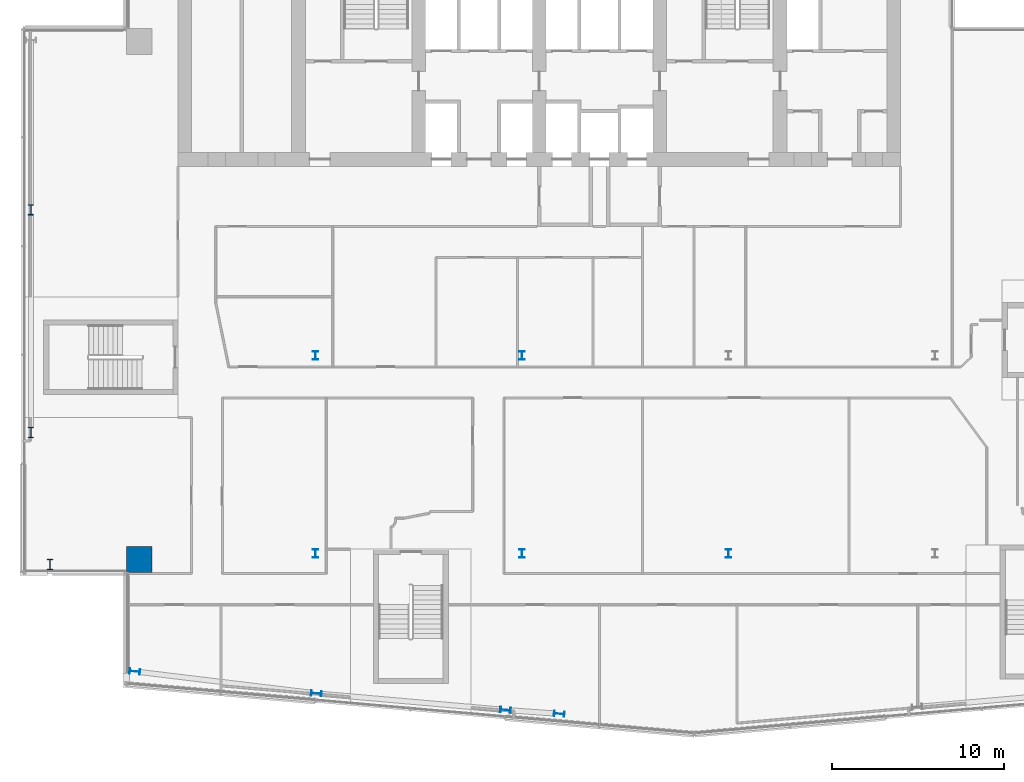
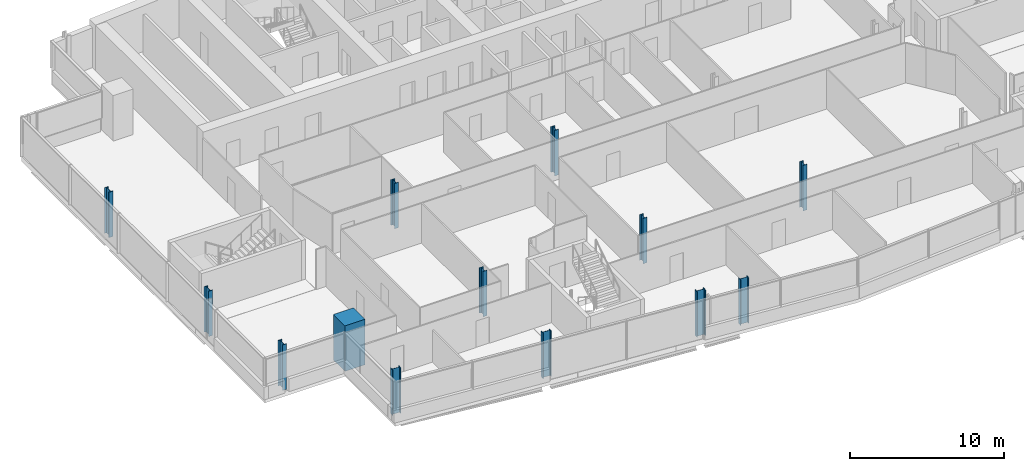
# One storey, part 1 of 24: 13 columns.
"""IFC4 building model written with IfcOpenShell, lengths in metres."""

from ifc_helpers import new_model, si_unit, direction, frame, origin, origin_2d, place, context, subcontext, project, spatial, rectangle, i_section, extrude, material, material_profile, profile_set, type_object, element, save


model = new_model("IFC4")

# Units and contexts
model_context = context("Model", 3, precision=1e-05, world=origin(), true_north=direction((0.0, 1.0)))
body_context = subcontext(model_context, "Body", "Model", "MODEL_VIEW")
ifc_project = project(units=[si_unit("LENGTHUNIT", "METRE"), si_unit("AREAUNIT", "SQUARE_METRE"), si_unit("VOLUMEUNIT", "CUBIC_METRE"), si_unit("PLANEANGLEUNIT", "RADIAN"), si_unit("MASSUNIT", "GRAM", prefix="KILO")], contexts=[model_context])

# Site, building, storey
site_placement = place(None, origin())
site = spatial("IfcSite", under=ifc_project, at=site_placement, CompositionType="ELEMENT")
building_placement = place(site_placement, origin())
building = spatial("IfcBuilding", under=site, at=building_placement, Name="Wharfspan Tower", CompositionType="ELEMENT")
storey_placement = place(building_placement, frame((0.0, 0.0, 198.699951)))
storey = spatial("IfcBuildingStorey", under=building, at=storey_placement, Name="L49", CompositionType="ELEMENT", Elevation=198.699951)

# Columns
ifc_material_1 = material(Name="Steel S355J2", Category="steel")
ifc_material_profile_1 = material_profile(ifc_material_1, i_section(OverallWidth=0.300049, OverallDepth=0.5, WebThickness=0.014404, FlangeThickness=0.028076, FilletRadius=0.0271, at=origin_2d()))
ifc_profile_set_1 = profile_set([ifc_material_profile_1], Name="Steel S355J2")
column_type_1 = type_object("IfcColumnType", Name="Column HEB 500", PredefinedType="COLUMN", material=ifc_profile_set_1)
for number, where, z_axis, x_axis, name in (
    (1, (24.0, 11.5, 0.0), (0.0, 0.0, 1.0), (1.0, 0.0, 0.0), "Interior column I.1.1 L49"),
    (2, (36.0, 11.5, 0.0), (0.0, 0.0, 1.0), (1.0, 0.0, 0.0), "Interior column I.1.2 L49"),
    (3, (48.0, 11.5, 0.0), (0.0, 0.0, 1.0), (1.0, 0.0, 0.0), "Interior column I.1.3 L49"),
    (4, (24.0, 23.0, 0.0), (0.0, 0.0, 1.0), (1.0, 0.0, 0.0), "Interior column I.2.1 L49"),
    (5, (36.0, 23.0, 0.0), (0.0, 0.0, 1.0), (1.0, 0.0, 0.0), "Interior column I.2.2 L49"),
):
    element("IfcColumn", number, at=place(storey_placement, frame(where, z_axis=z_axis, x_axis=x_axis)), inside=storey, type_object=column_type_1, Name=name, PredefinedType="COLUMN", context=body_context, shape_type="SweptSolid", body=[
        extrude(i_section(OverallWidth=0.300049, OverallDepth=0.5, WebThickness=0.014404, FlangeThickness=0.028076, FilletRadius=0.0271, at=origin_2d()), origin(), (0.0, 0.0, 1.0), 3.600098),
    ])
ifc_material_profile_2 = material_profile(ifc_material_1, i_section(OverallWidth=0.304932, OverallDepth=0.620117, WebThickness=0.020996, FlangeThickness=0.040039, FilletRadius=0.0271, at=origin_2d()))
ifc_profile_set_2 = profile_set([ifc_material_profile_2], Name="Steel S355J2")
column_type_2 = type_object("IfcColumnType", Name="Column HEM 600", PredefinedType="COLUMN", material=ifc_profile_set_2)
for number, where, z_axis, x_axis, name in (
    (6, (13.490723, 4.637451, 0.0), (0.0, 0.0, 1.0), (-0.087156, -0.996198, 0.0), "Perimeter column PS1.1 L49"),
    (7, (24.039307, 3.361084, 0.0), (0.0, 0.0, 1.0), (-0.087156, -0.996198, 0.0), "Perimeter column PS1.2 L49"),
    (8, (35.039307, 2.398682, 0.0), (0.0, 0.0, 1.0), (-0.087156, -0.996198, 0.0), "Perimeter column PS1.3 L49"),
    (9, (38.161133, 2.174072, 0.0), (0.0, 0.0, 1.0), (-0.087156, -0.996198, 0.0), "Perimeter column PS1.4 L49"),
    (10, (7.449951, 31.466553, 0.0), (0.0, 0.0, 1.0), (-1.0, 0.0, 0.0), "Perimeter column PW.1 L49"),
    (11, (7.449951, 18.533447, 0.0), (0.0, 0.0, 1.0), (-1.0, 0.0, 0.0), "Perimeter column PW.2 L49"),
    (12, (8.560791, 10.854004, 0.0), (0.0, 0.0, 1.0), (-1.0, 0.0, 0.0), "Perimeter column PW.3 L49"),
):
    element("IfcColumn", number, at=place(storey_placement, frame(where, z_axis=z_axis, x_axis=x_axis)), inside=storey, type_object=column_type_2, Name=name, PredefinedType="COLUMN", context=body_context, shape_type="SweptSolid", body=[
        extrude(i_section(OverallWidth=0.304932, OverallDepth=0.620117, WebThickness=0.020996, FlangeThickness=0.040039, FilletRadius=0.0271, at=origin_2d()), origin(), (0.0, 0.0, 1.0), 3.600098),
    ])
ifc_material_2 = material(Name="Concrete C60/75", Category="concrete")
ifc_material_profile_3 = material_profile(ifc_material_2, rectangle(XDim=1.5, YDim=1.5, at=origin_2d()))
ifc_profile_set_3 = profile_set([ifc_material_profile_3], Name="Concrete C60/75")
column_type_3 = type_object("IfcColumnType", Name="Mega column 1500 C60/75", PredefinedType="COLUMN", material=ifc_profile_set_3)
column_placement = place(storey_placement, frame((13.75, 11.149902, 0.0), z_axis=(0.0, 0.0, 1.0), x_axis=(1.0, 0.0, 0.0)))
element("IfcColumn", 13, at=column_placement, inside=storey, type_object=column_type_3, Name="Mega column MC1 L49", PredefinedType="COLUMN", context=body_context, shape_type="SweptSolid", body=[
    extrude(rectangle(XDim=1.5, YDim=1.5, at=origin_2d()), origin(), (0.0, 0.0, 1.0), 3.600098),
])

save(model, "model.ifc")
